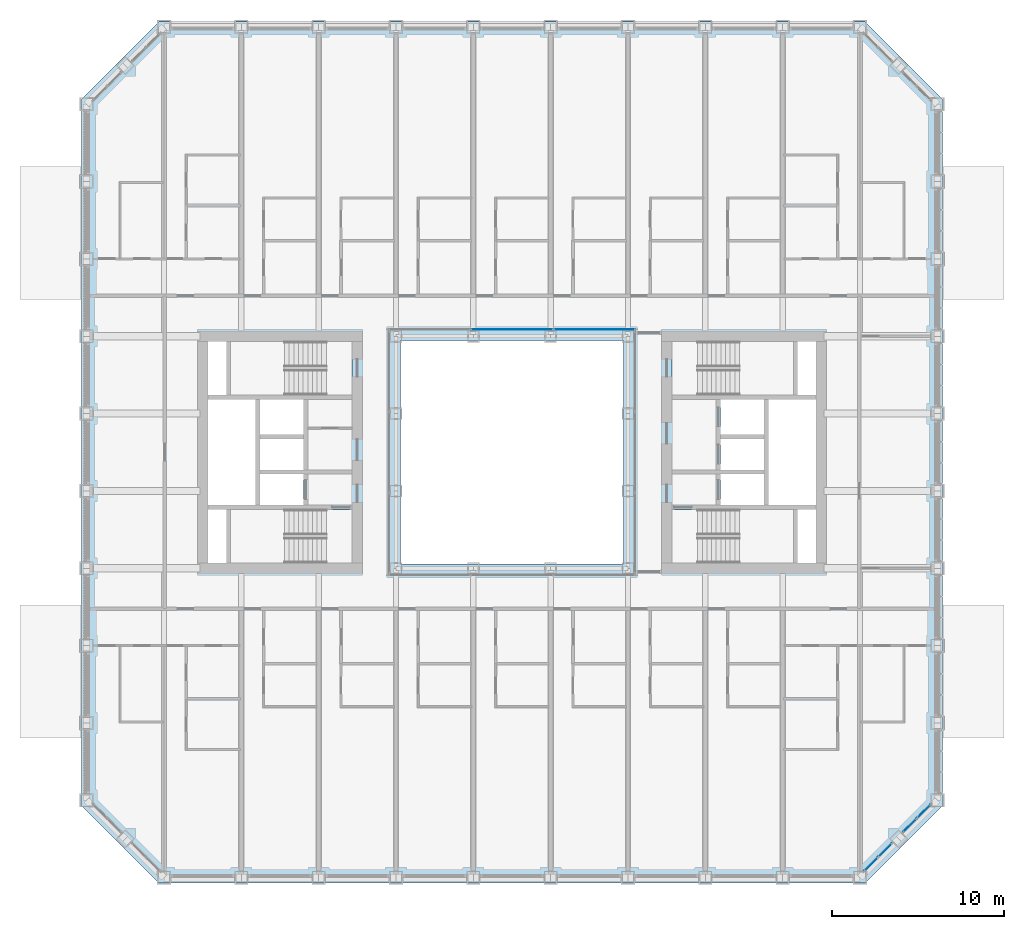
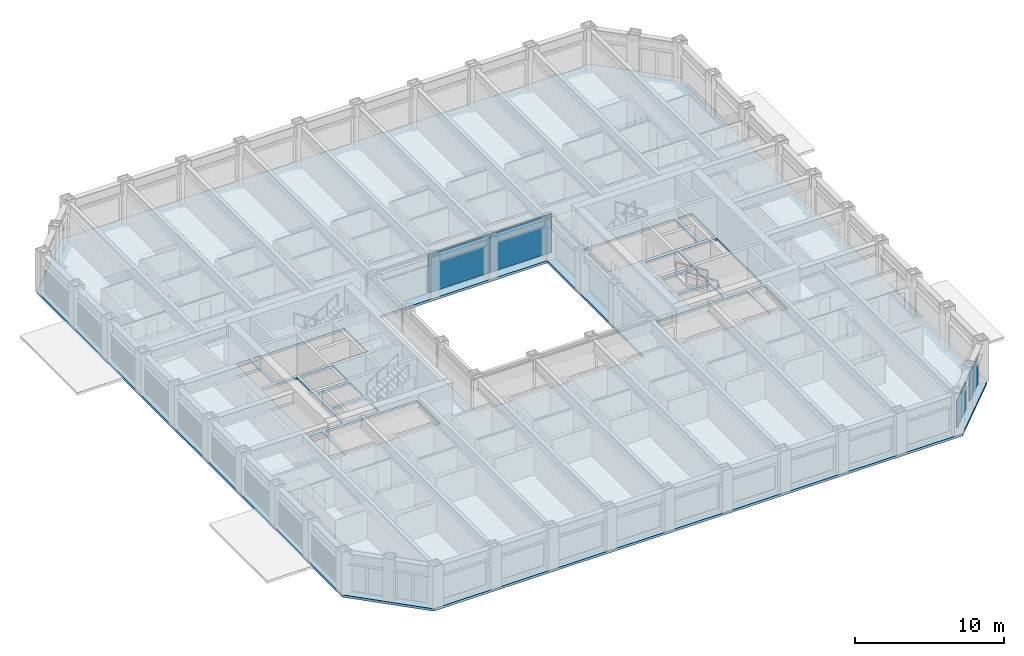
# One storey, part 9 of 24: 6 plates, 1 slab, 3 elements without a shape of their own.
"""IFC4 building model written with IfcOpenShell, lengths in metres."""

from ifc_helpers import new_model, si_unit, direction, frame, origin, origin_2d, place, context, subcontext, project, spatial, polyline, rectangle, outline, extrude, material, layer, layer_set, type_object, element, aggregate, save


model = new_model("IFC4")

# Units and contexts
model_context = context("Model", 3, precision=1e-05, world=origin(), true_north=direction((0.0, 1.0)))
body_context = subcontext(model_context, "Body", "Model", "MODEL_VIEW")
ifc_project = project(units=[si_unit("LENGTHUNIT", "METRE"), si_unit("AREAUNIT", "SQUARE_METRE"), si_unit("VOLUMEUNIT", "CUBIC_METRE"), si_unit("PLANEANGLEUNIT", "RADIAN"), si_unit("MASSUNIT", "GRAM", prefix="KILO")], contexts=[model_context])

# Site, building, storey
site_placement = place(None, origin())
site = spatial("IfcSite", under=ifc_project, at=site_placement, CompositionType="ELEMENT")
building_placement = place(site_placement, origin())
building = spatial("IfcBuilding", under=site, at=building_placement, Name="Msasa Ring Tower", CompositionType="ELEMENT")
storey_placement = place(building_placement, frame((0.0, 0.0, 26.5)))
storey = spatial("IfcBuildingStorey", under=building, at=storey_placement, Name="L05", CompositionType="ELEMENT", Elevation=26.5)

# Curtain wall, plates
ifc_material_1 = material(Name="Aluminium curtain wall with clear glass", Category="aluminium")
curtain_wall_type_1 = type_object("IfcCurtainWallType", Name="CW-C CHAMFER CORNER CURTAIN WALL", PredefinedType="NOTDEFINED", material=ifc_material_1)
curtain_wall_1_placement = place(storey_placement, origin())
curtain_wall_1 = element("IfcCurtainWall", 1, at=curtain_wall_1_placement, inside=storey, type_object=curtain_wall_type_1, Name="Chamfer corner curtain wall SE L05", PredefinedType="NOTDEFINED")
ifc_material_2 = material(Name="Clear laminated insulating glass unit", Category="glass")
ifc_layer_1 = layer(ifc_material_2, 0.031982421875)
ifc_layer_set_1 = layer_set([ifc_layer_1], Name="CW-C GLASS PANEL 32")
plate_type_1 = type_object("IfcPlateType", Name="CW-C GLASS PANEL 32", PredefinedType="CURTAIN_PANEL", material=ifc_layer_set_1)
plate_1_placement = place(storey_placement, frame((20.896484375, -23.962158203125, 0.06494140625), z_axis=(0.0, 0.0, 1.0), x_axis=(0.707106781187, 0.707106781187, 0.0)))
plate_1 = element("IfcPlate", 2, at=plate_1_placement, type_object=plate_type_1, Name="CW-C panel 1.1", PredefinedType="CURTAIN_PANEL", context=body_context, shape_type="SweptSolid", body=[
    extrude(rectangle(XDim=1.08837890625, YDim=0.031982421875, at=origin_2d()), origin(), (0.0, 0.0, 1.0), 2.2490234375),
])
plate_2_placement = place(storey_placement, frame((21.712158203125, -23.146484375, 0.06494140625), z_axis=(0.0, 0.0, 1.0), x_axis=(0.707106781187, 0.707106781187, 0.0)))
plate_2 = element("IfcPlate", 3, at=plate_2_placement, type_object=plate_type_1, Name="CW-C panel 2.1", PredefinedType="CURTAIN_PANEL", context=body_context, shape_type="SweptSolid", body=[
    extrude(rectangle(XDim=1.08837890625, YDim=0.031982421875, at=origin_2d()), origin(), (0.0, 0.0, 1.0), 2.2490234375),
])
aggregate(curtain_wall_1, [plate_1, plate_2])

curtain_wall_2_placement = place(storey_placement, origin())
curtain_wall_2 = element("IfcCurtainWall", 4, at=curtain_wall_2_placement, inside=storey, type_object=curtain_wall_type_1, Name="Chamfer corner curtain wall SE L05", PredefinedType="NOTDEFINED")
plate_3_placement = place(storey_placement, frame((23.146484375, -21.712158203125, 0.06494140625), z_axis=(0.0, 0.0, 1.0), x_axis=(0.707106781187, 0.707106781187, 0.0)))
plate_3 = element("IfcPlate", 5, at=plate_3_placement, type_object=plate_type_1, Name="CW-C panel 1.1", PredefinedType="CURTAIN_PANEL", context=body_context, shape_type="SweptSolid", body=[
    extrude(rectangle(XDim=1.08837890625, YDim=0.031982421875, at=origin_2d()), origin(), (0.0, 0.0, 1.0), 2.2490234375),
])
plate_4_placement = place(storey_placement, frame((23.962158203125, -20.896484375, 0.06494140625), z_axis=(0.0, 0.0, 1.0), x_axis=(0.707106781187, 0.707106781187, 0.0)))
plate_4 = element("IfcPlate", 6, at=plate_4_placement, type_object=plate_type_1, Name="CW-C panel 2.1", PredefinedType="CURTAIN_PANEL", context=body_context, shape_type="SweptSolid", body=[
    extrude(rectangle(XDim=1.08837890625, YDim=0.031982421875, at=origin_2d()), origin(), (0.0, 0.0, 1.0), 2.2490234375),
])
aggregate(curtain_wall_2, [plate_3, plate_4])

ifc_material_3 = material(Name="Aluminium curtain wall with clear glass", Category="aluminium")
curtain_wall_type_2 = type_object("IfcCurtainWallType", Name="CW-W LIGHT WELL CURTAIN WALL", PredefinedType="NOTDEFINED", material=ifc_material_3)
curtain_wall_3_placement = place(storey_placement, origin())
curtain_wall_3 = element("IfcCurtainWall", 7, at=curtain_wall_3_placement, inside=storey, type_object=curtain_wall_type_2, Name="Light well curtain wall N L05", PredefinedType="NOTDEFINED")
ifc_material_4 = material(Name="Clear laminated insulating glass unit", Category="glass")
ifc_layer_2 = layer(ifc_material_4, 0.028076171875)
ifc_layer_set_2 = layer_set([ifc_layer_2], Name="CW-W GLASS PANEL 28")
plate_type_2 = type_object("IfcPlateType", Name="CW-W GLASS PANEL 28", PredefinedType="CURTAIN_PANEL", material=ifc_layer_set_2)
plate_5_placement = place(storey_placement, frame((0.0, 7.14990234375, 0.06005859375), z_axis=(0.0, 0.0, 1.0), x_axis=(1.0, 0.0, 0.0)))
plate_5 = element("IfcPlate", 8, at=plate_5_placement, type_object=plate_type_2, Name="CW-W panel 2.1", PredefinedType="CURTAIN_PANEL", context=body_context, shape_type="SweptSolid", body=[
    extrude(rectangle(XDim=4.760009765625, YDim=0.028076171875, at=origin_2d()), origin(), (0.0, 0.0, 1.0), 3.179931640625),
])
plate_6_placement = place(storey_placement, frame((4.804931640625, 7.14990234375, 0.06005859375), z_axis=(0.0, 0.0, 1.0), x_axis=(1.0, 0.0, 0.0)))
plate_6 = element("IfcPlate", 9, at=plate_6_placement, type_object=plate_type_2, Name="CW-W panel 3.1", PredefinedType="CURTAIN_PANEL", context=body_context, shape_type="SweptSolid", body=[
    extrude(rectangle(XDim=4.72998046875, YDim=0.028076171875, at=origin_2d()), origin(), (0.0, 0.0, 1.0), 3.179931640625),
])
aggregate(curtain_wall_3, [plate_5, plate_6])

# Slab
ifc_material_5 = material(Name="Concrete C40/50", Category="concrete")
ifc_layer_3 = layer(ifc_material_5, 0.199951171875)
ifc_layer_set_3 = layer_set([ifc_layer_3], Name="S3 RESIDENCE FLOOR 200")
slab_type = type_object("IfcSlabType", Name="S3 RESIDENCE FLOOR 200", PredefinedType="FLOOR", material=ifc_layer_set_3)
slab_placement = place(storey_placement, frame((0.0, 0.0, -0.199951171875)))
element("IfcSlab", 10, at=slab_placement, inside=storey, type_object=slab_type, Name="Floor slab L05", PredefinedType="FLOOR", context=body_context, shape_type="SweptSolid", body=[
    extrude(outline(polyline([(-20.550048828125, -25.050048828125), (20.550048828125, -25.050048828125), (25.050048828125, -20.550048828125), (25.050048828125, 20.550048828125), (20.550048828125, 25.050048828125), (-20.550048828125, 25.050048828125), (-25.050048828125, 20.550048828125), (-25.050048828125, -20.550048828125), (-20.550048828125, -25.050048828125)]), holes=[polyline([(-6.5, -6.5), (6.5, -6.5), (6.5, 6.5), (-6.5, 6.5), (-6.5, -6.5)]), polyline([(9.300048828125, -6.449951171875), (16.375, -6.449951171875), (16.375, -3.324951171875), (9.300048828125, -3.324951171875), (9.300048828125, -6.449951171875)]), polyline([(9.300048828125, 3.324951171875), (16.375, 3.324951171875), (16.375, 6.449951171875), (9.300048828125, 6.449951171875), (9.300048828125, 3.324951171875)]), polyline([(12.125, -3.074951171875), (14.675048828125, -3.074951171875), (14.675048828125, -1.27490234375), (12.125, -1.27490234375), (12.125, -3.074951171875)]), polyline([(12.125, -1.02490234375), (14.675048828125, -1.02490234375), (14.675048828125, 0.77490234375), (12.125, 0.77490234375), (12.125, -1.02490234375)]), polyline([(12.125, 1.02490234375), (14.675048828125, 1.02490234375), (14.675048828125, 3.074951171875), (12.125, 3.074951171875), (12.125, 1.02490234375)]), polyline([(16.625, -6.449951171875), (17.699951171875, -6.449951171875), (17.699951171875, -3.324951171875), (16.625, -3.324951171875), (16.625, -6.449951171875)]), polyline([(16.625, 3.324951171875), (17.699951171875, 3.324951171875), (17.699951171875, 6.449951171875), (16.625, 6.449951171875), (16.625, 3.324951171875)]), polyline([(14.925048828125, -3.074951171875), (17.699951171875, -3.074951171875), (17.699951171875, 3.074951171875), (14.925048828125, 3.074951171875), (14.925048828125, -3.074951171875)]), polyline([(-16.375, -6.449951171875), (-9.300048828125, -6.449951171875), (-9.300048828125, -3.324951171875), (-16.375, -3.324951171875), (-16.375, -6.449951171875)]), polyline([(-16.375, 3.324951171875), (-9.300048828125, 3.324951171875), (-9.300048828125, 6.449951171875), (-16.375, 6.449951171875), (-16.375, 3.324951171875)]), polyline([(-14.675048828125, -3.074951171875), (-12.125, -3.074951171875), (-12.125, -1.27490234375), (-14.675048828125, -1.27490234375), (-14.675048828125, -3.074951171875)]), polyline([(-14.675048828125, -1.02490234375), (-12.125, -1.02490234375), (-12.125, 0.77490234375), (-14.675048828125, 0.77490234375), (-14.675048828125, -1.02490234375)]), polyline([(-14.675048828125, 1.02490234375), (-12.125, 1.02490234375), (-12.125, 3.074951171875), (-14.675048828125, 3.074951171875), (-14.675048828125, 1.02490234375)]), polyline([(-17.699951171875, -6.449951171875), (-16.625, -6.449951171875), (-16.625, -3.324951171875), (-17.699951171875, -3.324951171875), (-17.699951171875, -6.449951171875)]), polyline([(-17.699951171875, 3.324951171875), (-16.625, 3.324951171875), (-16.625, 6.449951171875), (-17.699951171875, 6.449951171875), (-17.699951171875, 3.324951171875)]), polyline([(-17.699951171875, -3.074951171875), (-14.925048828125, -3.074951171875), (-14.925048828125, 3.074951171875), (-17.699951171875, 3.074951171875), (-17.699951171875, -3.074951171875)])]), origin(), (0.0, 0.0, 1.0), 0.199951171875),
])

save(model, "model.ifc")
